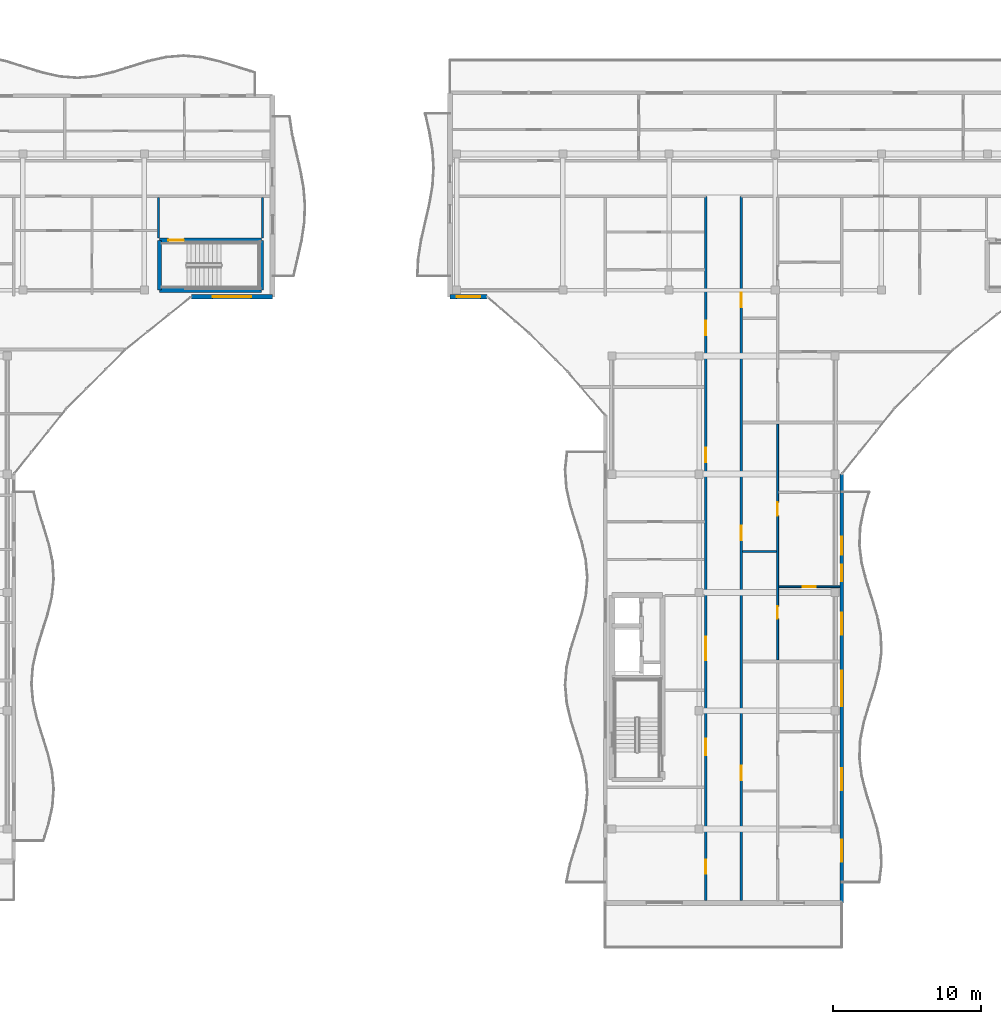
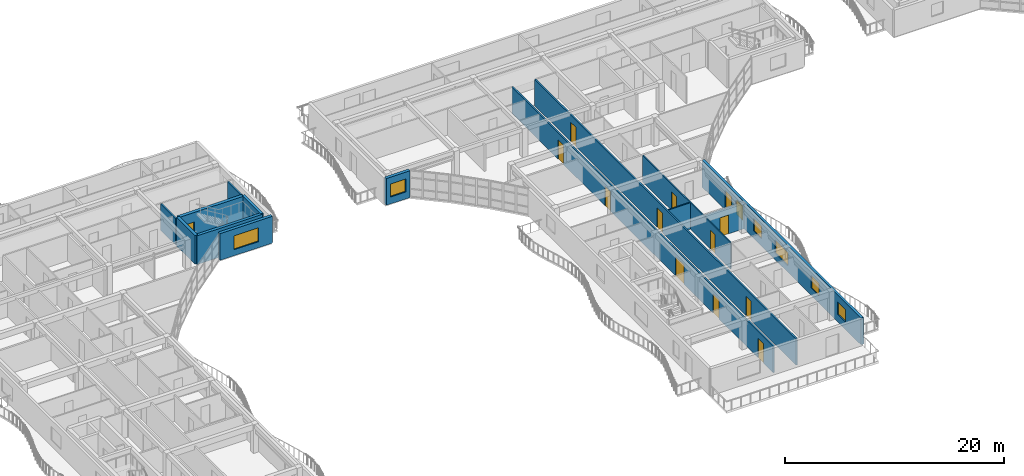
# One storey, part 31 of 54: 14 walls, 13 doors, 7 windows, 20 openings.
"""IFC4 building model written with IfcOpenShell, lengths in metres."""

from ifc_helpers import new_model, si_unit, direction, frame, frame_2d, origin, place, context, subcontext, project, spatial, rectangle, extrude, material, layer, layer_set, type_object, element, fill, save


model = new_model("IFC4")

# Units and contexts
model_context = context("Model", 3, precision=1e-05, world=origin(), true_north=direction((0.0, 1.0)))
body_context = subcontext(model_context, "Body", "Model", "MODEL_VIEW")
ifc_project = project(units=[si_unit("LENGTHUNIT", "METRE"), si_unit("AREAUNIT", "SQUARE_METRE"), si_unit("VOLUMEUNIT", "CUBIC_METRE"), si_unit("PLANEANGLEUNIT", "RADIAN"), si_unit("MASSUNIT", "GRAM", prefix="KILO")], contexts=[model_context])

# Site, building, storey
site_placement = place(None, origin())
site = spatial("IfcSite", under=ifc_project, at=site_placement, CompositionType="ELEMENT")
building_placement = place(site_placement, origin())
building = spatial("IfcBuilding", under=site, at=building_placement, Name="Keldmere Railside Commons", CompositionType="ELEMENT")
storey_placement = place(building_placement, frame((0.0, 0.0, 26.56005859375)))
storey = spatial("IfcBuildingStorey", under=building, at=storey_placement, Name="L08", CompositionType="ELEMENT", Elevation=26.56005859375)

# Wall, openings, doors
ifc_material_1 = material(Name="Acoustic Gypsum Board Partition", Category="gypsum")
ifc_layer_1 = layer(ifc_material_1, 0.1201171875, Name="Apartment Interior Partition 120")
ifc_layer_set_1 = layer_set([ifc_layer_1], Name="Acoustic Gypsum Board Partition")
wall_type_1 = type_object("IfcWallType", Name="Apartment Interior Partition 120", PredefinedType="PARTITIONING", material=ifc_layer_set_1)
wall_1_placement = place(storey_placement, frame((115.659912109375, 75.419921875, 0.0), z_axis=(0.0, 0.0, 1.0), x_axis=(0.0, 1.0, 0.0)))
wall_1 = element("IfcWall", 1, at=wall_1_placement, inside=storey, type_object=wall_type_1, Name="IW-4 IW-L08-1246", PredefinedType="PARTITIONING", context=body_context, shape_type="SweptSolid", body=[
    extrude(rectangle(XDim=15.989990234375, YDim=0.1201171875, at=frame_2d((7.9951171875, 0.0))), origin(), (0.0, 0.0, 1.0), 2.93505859375),
])
opening_1_placement = place(wall_1_placement, frame((2.796875, 0.0, 0.0)))
opening_1 = element("IfcOpeningElement", 2, at=opening_1_placement, cuts=wall_1, Name="Opening ID-04", PredefinedType="OPENING", context=body_context, shape_type="SweptSolid", body=[
    extrude(rectangle(XDim=0.860107421875, YDim=2.10009765625, at=frame_2d((0.43017578125, 1.050048828125))), frame((0.0, 0.070068359375, 0.0), z_axis=(0.0, -1.0, 0.0), x_axis=(1.0, 0.0, 0.0)), (0.0, 0.0, 1.0), 0.14013671875),
])
opening_2_placement = place(wall_1_placement, frame((9.7763671875, 0.0, 0.0)))
opening_2 = element("IfcOpeningElement", 3, at=opening_2_placement, cuts=wall_1, Name="Opening ID-03", PredefinedType="OPENING", context=body_context, shape_type="SweptSolid", body=[
    extrude(rectangle(XDim=0.919921875, YDim=2.10009765625, at=frame_2d((0.4599609375, 1.050048828125))), frame((0.0, 0.070068359375, 0.0), z_axis=(0.0, -1.0, 0.0), x_axis=(1.0, 0.0, 0.0)), (0.0, 0.0, 1.0), 0.14013671875),
])
ifc_material_2 = material(Name="Engineered Oak Timber", Category="wood")
door_type_1 = type_object("IfcDoorType", Name="Apartment Bathroom Door 860x2100", OperationType="NOTDEFINED", PredefinedType="DOOR", material=ifc_material_2)
door_1_placement = place(opening_1_placement, origin())
door_1 = element("IfcDoor", 4, at=door_1_placement, inside=storey, type_object=door_type_1, Name="ID-04 IDR-L08-1105", OperationType="SINGLE_SWING_LEFT", OverallHeight=2.10009765625, OverallWidth=0.860107421875, PredefinedType="DOOR", context=body_context, shape_type="SweptSolid", body=[
    extrude(rectangle(XDim=0.860107421875, YDim=2.10009765625, at=frame_2d((0.43017578125, 1.050048828125))), frame((0.0, 0.02490234375, 0.0), z_axis=(0.0, -1.0, 0.0), x_axis=(1.0, 0.0, 0.0)), (0.0, 0.0, 1.0), 0.050048828125),
])
fill(opening_1, door_1)
door_type_2 = type_object("IfcDoorType", Name="Kitchen Pocket-Frame Swing Door 920x2100", OperationType="NOTDEFINED", PredefinedType="DOOR", material=ifc_material_2)
door_2_placement = place(opening_2_placement, origin())
door_2 = element("IfcDoor", 5, at=door_2_placement, inside=storey, type_object=door_type_2, Name="ID-03 IDR-L08-1106", OperationType="SINGLE_SWING_RIGHT", OverallHeight=2.10009765625, OverallWidth=0.919921875, PredefinedType="DOOR", context=body_context, shape_type="SweptSolid", body=[
    extrude(rectangle(XDim=0.919921875, YDim=2.10009765625, at=frame_2d((0.4599609375, 1.050048828125))), frame((0.0, 0.02490234375, 0.0), z_axis=(0.0, -1.0, 0.0), x_axis=(1.0, 0.0, 0.0)), (0.0, 0.0, 1.0), 0.050048828125),
])
fill(opening_2, door_2)

# Wall, opening, door
wall_2_placement = place(storey_placement, frame((115.719970703125, 80.3798828125, 0.0), z_axis=(0.0, 0.0, 1.0), x_axis=(1.0, 0.0, 0.0)))
wall_2 = element("IfcWall", 6, at=wall_2_placement, inside=storey, type_object=wall_type_1, Name="IW-4 IW-L08-1248", PredefinedType="PARTITIONING", context=body_context, shape_type="SweptSolid", body=[
    extrude(rectangle(XDim=4.150146484375, YDim=0.1201171875, at=frame_2d((2.0751953125, 0.0))), origin(), (0.0, 0.0, 1.0), 2.93505859375),
])
opening_3_placement = place(wall_2_placement, frame((1.625, 0.0, 0.0)))
opening_3 = element("IfcOpeningElement", 7, at=opening_3_placement, cuts=wall_2, Name="Opening ID-01", PredefinedType="OPENING", context=body_context, shape_type="SweptSolid", body=[
    extrude(rectangle(XDim=0.89990234375, YDim=2.10009765625, at=frame_2d((0.449951171875, 1.050048828125))), frame((0.0, 0.070068359375, 0.0), z_axis=(0.0, -1.0, 0.0), x_axis=(1.0, 0.0, 0.0)), (0.0, 0.0, 1.0), 0.14013671875),
])
door_type_3 = type_object("IfcDoorType", Name="Primary Bedroom Door 900x2100", OperationType="NOTDEFINED", PredefinedType="DOOR", material=ifc_material_2)
door_3_placement = place(opening_3_placement, origin())
door_3 = element("IfcDoor", 8, at=door_3_placement, inside=storey, type_object=door_type_3, Name="ID-01 IDR-L08-1108", OperationType="SINGLE_SWING_RIGHT", OverallHeight=2.10009765625, OverallWidth=0.89990234375, PredefinedType="DOOR", context=body_context, shape_type="SweptSolid", body=[
    extrude(rectangle(XDim=0.89990234375, YDim=2.10009765625, at=frame_2d((0.449951171875, 1.050048828125))), frame((0.0, 0.02490234375, 0.0), z_axis=(0.0, -1.0, 0.0), x_axis=(1.0, 0.0, 0.0)), (0.0, 0.0, 1.0), 0.050048828125),
])
fill(opening_3, door_3)

# Wall, openings, doors
ifc_layer_2 = layer(ifc_material_1, 0.159912109375, Name="Corridor Fire Partition 160")
ifc_layer_set_2 = layer_set([ifc_layer_2], Name="Acoustic Gypsum Board Partition")
wall_type_2 = type_object("IfcWallType", Name="Corridor Fire Partition 160", PredefinedType="PARTITIONING", material=ifc_layer_set_2)
wall_3_placement = place(storey_placement, frame((110.800048828125, 59.159912109375, 0.0), z_axis=(0.0, 0.0, 1.0), x_axis=(0.0, 1.0, 0.0)))
wall_3 = element("IfcWall", 9, at=wall_3_placement, inside=storey, type_object=wall_type_2, Name="IW-2 IW-L08-1231", PredefinedType="PARTITIONING", context=body_context, shape_type="SweptSolid", body=[
    extrude(rectangle(XDim=47.64013671875, YDim=0.159912109375, at=frame_2d((23.820068359375, 0.0))), origin(), (0.0, 0.0, 1.0), 2.93505859375),
])
opening_4_placement = place(wall_3_placement, frame((9.840087890625, 0.0, 0.0)))
opening_4 = element("IfcOpeningElement", 10, at=opening_4_placement, cuts=wall_3, Name="Opening FD-2", PredefinedType="OPENING", context=body_context, shape_type="SweptSolid", body=[
    extrude(rectangle(XDim=1.10009765625, YDim=2.14990234375, at=frame_2d((0.550048828125, 1.074951171875))), frame((0.0, 0.08984375, 0.0), z_axis=(0.0, -1.0, 0.0), x_axis=(1.0, 0.0, 0.0)), (0.0, 0.0, 1.0), 0.179931640625),
])
opening_5_placement = place(wall_3_placement, frame((16.239990234375, 0.0, 0.0)))
opening_5 = element("IfcOpeningElement", 11, at=opening_5_placement, cuts=wall_3, Name="Opening FD-4", PredefinedType="OPENING", context=body_context, shape_type="SweptSolid", body=[
    extrude(rectangle(XDim=1.60009765625, YDim=2.14990234375, at=frame_2d((0.800048828125, 1.074951171875))), frame((0.0, 0.08984375, 0.0), z_axis=(0.0, -1.0, 0.0), x_axis=(1.0, 0.0, 0.0)), (0.0, 0.0, 1.0), 0.179931640625),
])
opening_6_placement = place(wall_3_placement, frame((1.800048828125, 0.0, 0.0)))
opening_6 = element("IfcOpeningElement", 12, at=opening_6_placement, cuts=wall_3, Name="Opening ID-08", PredefinedType="OPENING", context=body_context, shape_type="SweptSolid", body=[
    extrude(rectangle(XDim=0.9599609375, YDim=2.14990234375, at=frame_2d((0.47998046875, 1.074951171875))), frame((0.0, 0.08984375, 0.0), z_axis=(0.0, -1.0, 0.0), x_axis=(1.0, 0.0, 0.0)), (0.0, 0.0, 1.0), 0.179931640625),
])
opening_7_placement = place(wall_3_placement, frame((29.64501953125, 0.0, 0.0)))
opening_7 = element("IfcOpeningElement", 13, at=opening_7_placement, cuts=wall_3, Name="Opening FD-7", PredefinedType="OPENING", context=body_context, shape_type="SweptSolid", body=[
    extrude(rectangle(XDim=0.97998046875, YDim=2.14990234375, at=frame_2d((0.489990234375, 1.074951171875))), frame((0.0, 0.08984375, 0.0), z_axis=(0.0, -1.0, 0.0), x_axis=(1.0, 0.0, 0.0)), (0.0, 0.0, 1.0), 0.179931640625),
])
opening_8_placement = place(wall_3_placement, frame((38.2548828125, 0.0, 0.0)))
opening_8 = element("IfcOpeningElement", 14, at=opening_8_placement, cuts=wall_3, Name="Opening FD-7", PredefinedType="OPENING", context=body_context, shape_type="SweptSolid", body=[
    extrude(rectangle(XDim=0.97998046875, YDim=2.14990234375, at=frame_2d((0.489990234375, 1.074951171875))), frame((0.0, 0.08984375, 0.0), z_axis=(0.0, -1.0, 0.0), x_axis=(1.0, 0.0, 0.0)), (0.0, 0.0, 1.0), 0.179931640625),
])
door_type_4 = type_object("IfcDoorType", Name="Apartment Entrance Acoustic Fire Door 980x2150", OperationType="NOTDEFINED", PredefinedType="DOOR", material=ifc_material_2)
door_4_placement = place(opening_7_placement, origin())
door_4 = element("IfcDoor", 15, at=door_4_placement, inside=storey, type_object=door_type_4, Name="FD-7 IDR-L08-1132", OperationType="SINGLE_SWING_RIGHT", OverallHeight=2.14990234375, OverallWidth=0.97998046875, PredefinedType="DOOR", context=body_context, shape_type="SweptSolid", body=[
    extrude(rectangle(XDim=0.97998046875, YDim=2.14990234375, at=frame_2d((0.489990234375, 1.074951171875))), frame((0.0, 0.02490234375, 0.0), z_axis=(0.0, -1.0, 0.0), x_axis=(1.0, 0.0, 0.0)), (0.0, 0.0, 1.0), 0.050048828125),
])
fill(opening_7, door_4)
door_5_placement = place(opening_8_placement, origin())
door_5 = element("IfcDoor", 16, at=door_5_placement, inside=storey, type_object=door_type_4, Name="FD-7 IDR-L08-1135", OperationType="SINGLE_SWING_LEFT", OverallHeight=2.14990234375, OverallWidth=0.97998046875, PredefinedType="DOOR", context=body_context, shape_type="SweptSolid", body=[
    extrude(rectangle(XDim=0.97998046875, YDim=2.14990234375, at=frame_2d((0.489990234375, 1.074951171875))), frame((0.0, 0.02490234375, 0.0), z_axis=(0.0, -1.0, 0.0), x_axis=(1.0, 0.0, 0.0)), (0.0, 0.0, 1.0), 0.050048828125),
])
fill(opening_8, door_5)
ifc_material_3 = material(Name="Steel F-24 (S235)", Category="steel")
door_type_5 = type_object("IfcDoorType", Name="Corridor Cross-Compartment Double Fire Door 1600x2150", OperationType="DOUBLE_DOOR_SINGLE_SWING", PredefinedType="DOOR", material=ifc_material_3)
door_6_placement = place(opening_5_placement, origin())
door_6 = element("IfcDoor", 17, at=door_6_placement, inside=storey, type_object=door_type_5, Name="FD-4 IDR-L08-1099", OperationType="DOUBLE_DOOR_SINGLE_SWING", OverallHeight=2.14990234375, OverallWidth=1.60009765625, PredefinedType="DOOR", context=body_context, shape_type="SweptSolid", body=[
    extrude(rectangle(XDim=1.60009765625, YDim=2.14990234375, at=frame_2d((0.800048828125, 1.074951171875))), frame((0.0, 0.02490234375, 0.0), z_axis=(0.0, -1.0, 0.0), x_axis=(1.0, 0.0, 0.0)), (0.0, 0.0, 1.0), 0.050048828125),
])
fill(opening_5, door_6)
door_type_6 = type_object("IfcDoorType", Name="Firefighting Lobby Fire Door 1100x2150", OperationType="NOTDEFINED", PredefinedType="DOOR", material=ifc_material_3)
door_7_placement = place(opening_4_placement, origin())
door_7 = element("IfcDoor", 18, at=door_7_placement, inside=storey, type_object=door_type_6, Name="FD-2 IDR-L08-1098", OperationType="SINGLE_SWING_RIGHT", OverallHeight=2.14990234375, OverallWidth=1.10009765625, PredefinedType="DOOR", context=body_context, shape_type="SweptSolid", body=[
    extrude(rectangle(XDim=1.10009765625, YDim=2.14990234375, at=frame_2d((0.550048828125, 1.074951171875))), frame((0.0, 0.02490234375, 0.0), z_axis=(0.0, -1.0, 0.0), x_axis=(1.0, 0.0, 0.0)), (0.0, 0.0, 1.0), 0.050048828125),
])
fill(opening_4, door_7)
door_type_7 = type_object("IfcDoorType", Name="Study & Meeting Room Door 960x2150", OperationType="NOTDEFINED", PredefinedType="DOOR", material=ifc_material_2)
door_8_placement = place(opening_6_placement, origin())
door_8 = element("IfcDoor", 19, at=door_8_placement, inside=storey, type_object=door_type_7, Name="ID-08 IDR-L08-1129", OperationType="SINGLE_SWING_LEFT", OverallHeight=2.14990234375, OverallWidth=0.9599609375, PredefinedType="DOOR", context=body_context, shape_type="SweptSolid", body=[
    extrude(rectangle(XDim=0.9599609375, YDim=2.14990234375, at=frame_2d((0.47998046875, 1.074951171875))), frame((0.0, 0.02490234375, 0.0), z_axis=(0.0, -1.0, 0.0), x_axis=(1.0, 0.0, 0.0)), (0.0, 0.0, 1.0), 0.050048828125),
])
fill(opening_6, door_8)

wall_4_placement = place(storey_placement, frame((113.199951171875, 59.159912109375, 0.0), z_axis=(0.0, 0.0, 1.0), x_axis=(0.0, 1.0, 0.0)))
wall_4 = element("IfcWall", 20, at=wall_4_placement, inside=storey, type_object=wall_type_2, Name="IW-2 IW-L08-1232", PredefinedType="PARTITIONING", context=body_context, shape_type="SweptSolid", body=[
    extrude(rectangle(XDim=47.64013671875, YDim=0.159912109375, at=frame_2d((23.820068359375, 0.0))), origin(), (0.0, 0.0, 1.0), 2.93505859375),
])
opening_9_placement = place(wall_4_placement, frame((8.14990234375, 0.0, 0.0)))
opening_9 = element("IfcOpeningElement", 21, at=opening_9_placement, cuts=wall_4, Name="Opening FD-7", PredefinedType="OPENING", context=body_context, shape_type="SweptSolid", body=[
    extrude(rectangle(XDim=0.97998046875, YDim=2.14990234375, at=frame_2d((0.489990234375, 1.074951171875))), frame((0.0, 0.08984375, 0.0), z_axis=(0.0, -1.0, 0.0), x_axis=(1.0, 0.0, 0.0)), (0.0, 0.0, 1.0), 0.179931640625),
])
opening_10_placement = place(wall_4_placement, frame((24.3701171875, 0.0, 0.0)))
opening_10 = element("IfcOpeningElement", 22, at=opening_10_placement, cuts=wall_4, Name="Opening FD-7", PredefinedType="OPENING", context=body_context, shape_type="SweptSolid", body=[
    extrude(rectangle(XDim=0.97998046875, YDim=2.14990234375, at=frame_2d((0.489990234375, 1.074951171875))), frame((0.0, 0.08984375, 0.0), z_axis=(0.0, -1.0, 0.0), x_axis=(1.0, 0.0, 0.0)), (0.0, 0.0, 1.0), 0.179931640625),
])
opening_11_placement = place(wall_4_placement, frame((40.139892578125, 0.0, 0.0)))
opening_11 = element("IfcOpeningElement", 23, at=opening_11_placement, cuts=wall_4, Name="Opening FD-7", PredefinedType="OPENING", context=body_context, shape_type="SweptSolid", body=[
    extrude(rectangle(XDim=0.97998046875, YDim=2.14990234375, at=frame_2d((0.489990234375, 1.074951171875))), frame((0.0, 0.08984375, 0.0), z_axis=(0.0, -1.0, 0.0), x_axis=(1.0, 0.0, 0.0)), (0.0, 0.0, 1.0), 0.179931640625),
])
door_9_placement = place(opening_9_placement, origin())
door_9 = element("IfcDoor", 24, at=door_9_placement, inside=storey, type_object=door_type_4, Name="FD-7 IDR-L08-1102", OperationType="SINGLE_SWING_RIGHT", OverallHeight=2.14990234375, OverallWidth=0.97998046875, PredefinedType="DOOR", context=body_context, shape_type="SweptSolid", body=[
    extrude(rectangle(XDim=0.97998046875, YDim=2.14990234375, at=frame_2d((0.489990234375, 1.074951171875))), frame((0.0, 0.02490234375, 0.0), z_axis=(0.0, -1.0, 0.0), x_axis=(1.0, 0.0, 0.0)), (0.0, 0.0, 1.0), 0.050048828125),
])
fill(opening_9, door_9)
door_10_placement = place(opening_10_placement, origin())
door_10 = element("IfcDoor", 25, at=door_10_placement, inside=storey, type_object=door_type_4, Name="FD-7 IDR-L08-1107", OperationType="SINGLE_SWING_LEFT", OverallHeight=2.14990234375, OverallWidth=0.97998046875, PredefinedType="DOOR", context=body_context, shape_type="SweptSolid", body=[
    extrude(rectangle(XDim=0.97998046875, YDim=2.14990234375, at=frame_2d((0.489990234375, 1.074951171875))), frame((0.0, 0.02490234375, 0.0), z_axis=(0.0, -1.0, 0.0), x_axis=(1.0, 0.0, 0.0)), (0.0, 0.0, 1.0), 0.050048828125),
])
fill(opening_10, door_10)
door_11_placement = place(opening_11_placement, origin())
door_11 = element("IfcDoor", 26, at=door_11_placement, inside=storey, type_object=door_type_4, Name="FD-7 IDR-L08-1112", OperationType="SINGLE_SWING_RIGHT", OverallHeight=2.14990234375, OverallWidth=0.97998046875, PredefinedType="DOOR", context=body_context, shape_type="SweptSolid", body=[
    extrude(rectangle(XDim=0.97998046875, YDim=2.14990234375, at=frame_2d((0.489990234375, 1.074951171875))), frame((0.0, 0.02490234375, 0.0), z_axis=(0.0, -1.0, 0.0), x_axis=(1.0, 0.0, 0.0)), (0.0, 0.0, 1.0), 0.050048828125),
])
fill(opening_11, door_11)

# Wall, opening, window
ifc_material_4 = material(Name="Concrete H-35 (C35/45)", Category="concrete")
ifc_layer_3 = layer(ifc_material_4, 0.320068359375, Name="Exterior Shear Wall 320")
ifc_layer_set_3 = layer_set([ifc_layer_3], Name="Concrete H-35 (C35/45)")
wall_type_3 = type_object("IfcWallType", Name="Exterior Shear Wall 320", PredefinedType="SHEAR", material=ifc_layer_set_3)
wall_5_placement = place(storey_placement, frame((81.5, 100.0, 0.0), z_axis=(0.0, 0.0, 1.0), x_axis=(-1.0, 0.0, 0.0)))
wall_5 = element("IfcWall", 27, at=wall_5_placement, inside=storey, type_object=wall_type_3, Name="ESW-2 EXTC-L08-0390", PredefinedType="SHEAR", context=body_context, shape_type="SweptSolid", body=[
    extrude(rectangle(XDim=5.5, YDim=0.320068359375, at=frame_2d((2.75, 0.0))), origin(), (0.0, 0.0, 1.0), 2.97998046875),
])
opening_12_placement = place(wall_5_placement, frame((1.449951171875, 0.0, 0.669921875)))
opening_12 = element("IfcOpeningElement", 28, at=opening_12_placement, cuts=wall_5, Name="Opening WN-39", PredefinedType="OPENING", context=body_context, shape_type="SweptSolid", body=[
    extrude(rectangle(XDim=2.60009765625, YDim=1.550048828125, at=frame_2d((1.300048828125, 0.77490234375))), frame((0.0, 0.169921875, 0.0), z_axis=(0.0, -1.0, 0.0), x_axis=(1.0, 0.0, 0.0)), (0.0, 0.0, 1.0), 0.340087890625),
])
ifc_material_5 = material(Name="Low-E Insulated Double Glazing", Category="glass")
window_type_1 = type_object("IfcWindowType", Name="Three-Bed Corner Living Window 2600x1550", PartitioningType="SINGLE_PANEL", PredefinedType="WINDOW", material=ifc_material_5)
window_1_placement = place(opening_12_placement, origin())
window_1 = element("IfcWindow", 29, at=window_1_placement, inside=storey, type_object=window_type_1, Name="WN-39 WIN-L08-0310", OverallHeight=1.550048828125, OverallWidth=2.60009765625, PartitioningType="SINGLE_PANEL", PredefinedType="WINDOW", context=body_context, shape_type="SweptSolid", body=[
    extrude(rectangle(XDim=2.60009765625, YDim=1.550048828125, at=frame_2d((1.300048828125, 0.77490234375))), frame((0.0, 0.030029296875, 0.0), z_axis=(0.0, -1.0, 0.0), x_axis=(1.0, 0.0, 0.0)), (0.0, 0.0, 1.0), 0.06005859375),
])
fill(opening_12, window_1)

wall_6_placement = place(storey_placement, frame((96.0, 100.0, 0.0), z_axis=(0.0, 0.0, 1.0), x_axis=(-1.0, 0.0, 0.0)))
wall_6 = element("IfcWall", 30, at=wall_6_placement, inside=storey, type_object=wall_type_3, Name="ESW-2 EXTB-L08-0653", PredefinedType="SHEAR", context=body_context, shape_type="SweptSolid", body=[
    extrude(rectangle(XDim=2.5, YDim=0.320068359375, at=frame_2d((1.25, 0.0))), origin(), (0.0, 0.0, 1.0), 2.97998046875),
])
opening_13_placement = place(wall_6_placement, frame((0.449951171875, 0.0, 0.77001953125)))
opening_13 = element("IfcOpeningElement", 31, at=opening_13_placement, cuts=wall_6, Name="Opening WN-04", PredefinedType="OPENING", context=body_context, shape_type="SweptSolid", body=[
    extrude(rectangle(XDim=1.60009765625, YDim=1.449951171875, at=frame_2d((0.800048828125, 0.72509765625))), frame((0.0, 0.169921875, 0.0), z_axis=(0.0, -1.0, 0.0), x_axis=(1.0, 0.0, 0.0)), (0.0, 0.0, 1.0), 0.340087890625),
])
window_type_2 = type_object("IfcWindowType", Name="Living Room West Shaded Window 1600x1450", PartitioningType="SINGLE_PANEL", PredefinedType="WINDOW", material=ifc_material_5)
window_2_placement = place(opening_13_placement, origin())
window_2 = element("IfcWindow", 32, at=window_2_placement, inside=storey, type_object=window_type_2, Name="WN-04 WIN-L08-0504", OverallHeight=1.449951171875, OverallWidth=1.60009765625, PartitioningType="SINGLE_PANEL", PredefinedType="WINDOW", context=body_context, shape_type="SweptSolid", body=[
    extrude(rectangle(XDim=1.60009765625, YDim=1.449951171875, at=frame_2d((0.800048828125, 0.72509765625))), frame((0.0, 0.030029296875, 0.0), z_axis=(0.0, -1.0, 0.0), x_axis=(1.0, 0.0, 0.0)), (0.0, 0.0, 1.0), 0.06005859375),
])
fill(opening_13, window_2)

# Walls
ifc_layer_4 = layer(ifc_material_4, 0.300048828125, Name="Interior Shear Wall 300")
ifc_layer_set_4 = layer_set([ifc_layer_4], Name="Concrete H-35 (C35/45)")
wall_type_4 = type_object("IfcWallType", Name="Interior Shear Wall 300", PredefinedType="SHEAR", material=ifc_layer_set_4)
wall_7_placement = place(storey_placement, frame((73.85009765625, 100.449951171875, 0.0), z_axis=(0.0, 0.0, 1.0), x_axis=(1.0, 0.0, 0.0)))
element("IfcWall", 33, at=wall_7_placement, inside=storey, type_object=wall_type_4, Name="ISW-2 COREC2S-L08-0302", PredefinedType="SHEAR", context=body_context, shape_type="SweptSolid", body=[
    extrude(rectangle(XDim=6.89990234375, YDim=0.300048828125, at=frame_2d((3.449951171875, 0.0))), origin(), (0.0, 0.0, 1.0), 3.199951171875),
])
for number, where, z_axis, x_axis, name in (
    (34, (73.85009765625, 103.820068359375, 0.0), (0.0, 0.0, 1.0), (0.0, -1.0, 0.0), "ISW-2 COREC2W-L08-0304"),
    (35, (80.75, 100.449951171875, 0.0), (0.0, 0.0, 1.0), (0.0, 1.0, 0.0), "ISW-2 COREC2E-L08-0305"),
):
    element("IfcWall", number, at=place(storey_placement, frame(where, z_axis=z_axis, x_axis=x_axis)), inside=storey, type_object=wall_type_4, Name=name, PredefinedType="SHEAR", context=body_context, shape_type="SweptSolid", body=[
        extrude(rectangle(XDim=3.3701171875, YDim=0.300048828125, at=frame_2d((1.68505859375, 0.0))), origin(), (0.0, 0.0, 1.0), 3.199951171875),
    ])

# Wall, opening, door
ifc_layer_5 = layer(ifc_material_4, 0.340087890625, Name="Interior Shear Wall 340")
ifc_layer_set_5 = layer_set([ifc_layer_5], Name="Concrete H-35 (C35/45)")
wall_type_5 = type_object("IfcWallType", Name="Interior Shear Wall 340", PredefinedType="SHEAR", material=ifc_layer_set_5)
wall_8_placement = place(storey_placement, frame((80.75, 103.820068359375, 0.0), z_axis=(0.0, 0.0, 1.0), x_axis=(-1.0, 0.0, 0.0)))
wall_8 = element("IfcWall", 36, at=wall_8_placement, inside=storey, type_object=wall_type_5, Name="ISW-1 COREC2N-L08-0303", PredefinedType="SHEAR", context=body_context, shape_type="SweptSolid", body=[
    extrude(rectangle(XDim=6.89990234375, YDim=0.340087890625, at=frame_2d((3.449951171875, 0.0))), origin(), (0.0, 0.0, 1.0), 3.199951171875),
])
opening_14_placement = place(wall_8_placement, frame((5.25, 0.0, 0.0)))
opening_14 = element("IfcOpeningElement", 37, at=opening_14_placement, cuts=wall_8, Name="Opening FD-1", PredefinedType="OPENING", context=body_context, shape_type="SweptSolid", body=[
    extrude(rectangle(XDim=1.050048828125, YDim=2.14990234375, at=frame_2d((0.52490234375, 1.074951171875))), frame((0.0, 0.179931640625, 0.0), z_axis=(0.0, -1.0, 0.0), x_axis=(1.0, 0.0, 0.0)), (0.0, 0.0, 1.0), 0.360107421875),
])
door_type_8 = type_object("IfcDoorType", Name="Stair Core Fire Door 1050x2150", OperationType="NOTDEFINED", PredefinedType="DOOR", material=ifc_material_3)
door_12_placement = place(opening_14_placement, origin())
door_12 = element("IfcDoor", 38, at=door_12_placement, inside=storey, type_object=door_type_8, Name="FD-1 C2 L08", OperationType="SINGLE_SWING_RIGHT", OverallHeight=2.14990234375, OverallWidth=1.050048828125, PredefinedType="DOOR", context=body_context, shape_type="SweptSolid", body=[
    extrude(rectangle(XDim=1.050048828125, YDim=2.14990234375, at=frame_2d((0.52490234375, 1.074951171875))), frame((0.0, 0.02490234375, 0.0), z_axis=(0.0, -1.0, 0.0), x_axis=(1.0, 0.0, 0.0)), (0.0, 0.0, 1.0), 0.050048828125),
])
fill(opening_14, door_12)

# Walls
ifc_layer_6 = layer(ifc_material_1, 0.14990234375, Name="Lobby Rated Partition 150")
ifc_layer_set_6 = layer_set([ifc_layer_6], Name="Acoustic Gypsum Board Partition")
wall_type_6 = type_object("IfcWallType", Name="Lobby Rated Partition 150", PredefinedType="PARTITIONING", material=ifc_layer_set_6)
for number, where, z_axis, x_axis, name in (
    (39, (73.780029296875, 103.989990234375, 0.0), (0.0, 0.0, 1.0), (0.0, 1.0, 0.0), "IW-3 IW-L08-0822"),
    (40, (80.820068359375, 103.989990234375, 0.0), (0.0, 0.0, 1.0), (0.0, 1.0, 0.0), "IW-3 IW-L08-0823"),
):
    element("IfcWall", number, at=place(storey_placement, frame(where, z_axis=z_axis, x_axis=x_axis)), inside=storey, type_object=wall_type_6, Name=name, PredefinedType="PARTITIONING", context=body_context, shape_type="SweptSolid", body=[
        extrude(rectangle(XDim=2.72998046875, YDim=0.14990234375, at=frame_2d((1.364990234375, 0.0))), origin(), (0.0, 0.0, 1.0), 2.93505859375),
    ])

# Wall, openings, door, windows
ifc_material_6 = material(Name="Terracotta Brick Masonry", Category="masonry")
ifc_layer_7 = layer(ifc_material_6, 0.260009765625, Name="Terracotta Cavity Wall 260")
ifc_layer_set_7 = layer_set([ifc_layer_7], Name="Terracotta Brick Masonry")
wall_type_7 = type_object("IfcWallType", Name="Terracotta Cavity Wall 260", PredefinedType="SOLIDWALL", material=ifc_layer_set_7)
wall_9_placement = place(storey_placement, frame((120.0, 88.0, 0.0), z_axis=(0.0, 0.0, 1.0), x_axis=(0.0, -1.0, 0.0)))
wall_9 = element("IfcWall", 41, at=wall_9_placement, inside=storey, type_object=wall_type_7, Name="EW-1 EXTB-L08-0648", PredefinedType="SOLIDWALL", context=body_context, shape_type="SweptSolid", body=[
    extrude(rectangle(XDim=29.0, YDim=0.260009765625, at=frame_2d((14.5, 0.0))), origin(), (0.0, 0.0, 1.0), 2.97998046875),
])
opening_15_placement = place(wall_9_placement, frame((4.2333984375, 0.0, 0.0)))
opening_15 = element("IfcOpeningElement", 42, at=opening_15_placement, cuts=wall_9, Name="Opening BD-01", PredefinedType="OPENING", context=body_context, shape_type="SweptSolid", body=[
    extrude(rectangle(XDim=1.199951171875, YDim=2.199951171875, at=frame_2d((0.60009765625, 1.10009765625))), frame((0.0, 0.139892578125, 0.0), z_axis=(0.0, -1.0, 0.0), x_axis=(1.0, 0.0, 0.0)), (0.0, 0.0, 1.0), 0.280029296875),
])
opening_16_placement = place(wall_9_placement, frame((6.13330078125, 0.0, 0.6201171875)))
opening_16 = element("IfcOpeningElement", 43, at=opening_16_placement, cuts=wall_9, Name="Opening WN-16", PredefinedType="OPENING", context=body_context, shape_type="SweptSolid", body=[
    extrude(rectangle(XDim=1.10009765625, YDim=1.60009765625, at=frame_2d((0.550048828125, 0.800048828125))), frame((0.0, 0.139892578125, 0.0), z_axis=(0.0, -1.0, 0.0), x_axis=(1.0, 0.0, 0.0)), (0.0, 0.0, 1.0), 0.280029296875),
])
opening_17_placement = place(wall_9_placement, frame((13.300048828125, 0.0, 0.719970703125)))
opening_17 = element("IfcOpeningElement", 44, at=opening_17_placement, cuts=wall_9, Name="Opening WN-05", PredefinedType="OPENING", context=body_context, shape_type="SweptSolid", body=[
    extrude(rectangle(XDim=2.39990234375, YDim=1.5, at=frame_2d((1.199951171875, 0.75))), frame((0.0, 0.139892578125, 0.0), z_axis=(0.0, -1.0, 0.0), x_axis=(1.0, 0.0, 0.0)), (0.0, 0.0, 1.0), 0.280029296875),
])
opening_18_placement = place(wall_9_placement, frame((24.716796875, 0.0, 0.820068359375)))
opening_18 = element("IfcOpeningElement", 45, at=opening_18_placement, cuts=wall_9, Name="Opening WN-06", PredefinedType="OPENING", context=body_context, shape_type="SweptSolid", body=[
    extrude(rectangle(XDim=1.5, YDim=1.39990234375, at=frame_2d((0.75, 0.699951171875))), frame((0.0, 0.139892578125, 0.0), z_axis=(0.0, -1.0, 0.0), x_axis=(1.0, 0.0, 0.0)), (0.0, 0.0, 1.0), 0.280029296875),
])
opening_19_placement = place(wall_9_placement, frame((19.889892578125, 0.0, 0.820068359375)))
opening_19 = element("IfcOpeningElement", 46, at=opening_19_placement, cuts=wall_9, Name="Opening WN-06", PredefinedType="OPENING", context=body_context, shape_type="SweptSolid", body=[
    extrude(rectangle(XDim=1.5, YDim=1.39990234375, at=frame_2d((0.75, 0.699951171875))), frame((0.0, 0.139892578125, 0.0), z_axis=(0.0, -1.0, 0.0), x_axis=(1.0, 0.0, 0.0)), (0.0, 0.0, 1.0), 0.280029296875),
])
opening_20_placement = place(wall_9_placement, frame((9.375, 0.0, 0.820068359375)))
opening_20 = element("IfcOpeningElement", 47, at=opening_20_placement, cuts=wall_9, Name="Opening WN-06", PredefinedType="OPENING", context=body_context, shape_type="SweptSolid", body=[
    extrude(rectangle(XDim=1.5, YDim=1.39990234375, at=frame_2d((0.75, 0.699951171875))), frame((0.0, 0.139892578125, 0.0), z_axis=(0.0, -1.0, 0.0), x_axis=(1.0, 0.0, 0.0)), (0.0, 0.0, 1.0), 0.280029296875),
])
ifc_material_7 = material(Name="Thermally Broken Aluminium", Category="aluminium")
door_type_9 = type_object("IfcDoorType", Name="Apartment Living Wave-Balcony Glazed Door 1200x2200", OperationType="NOTDEFINED", PredefinedType="DOOR", material=ifc_material_7)
door_13_placement = place(opening_15_placement, origin())
door_13 = element("IfcDoor", 48, at=door_13_placement, inside=storey, type_object=door_type_9, Name="BD-01 DR-L08-0185", OperationType="SINGLE_SWING_LEFT", OverallHeight=2.199951171875, OverallWidth=1.199951171875, PredefinedType="DOOR", context=body_context, shape_type="SweptSolid", body=[
    extrude(rectangle(XDim=1.199951171875, YDim=2.199951171875, at=frame_2d((0.60009765625, 1.10009765625))), frame((0.0, 0.02490234375, 0.0), z_axis=(0.0, -1.0, 0.0), x_axis=(1.0, 0.0, 0.0)), (0.0, 0.0, 1.0), 0.050048828125),
])
fill(opening_15, door_13)
window_type_3 = type_object("IfcWindowType", Name="Corner Dual-Aspect Ribbon Window 2400x1500", PartitioningType="SINGLE_PANEL", PredefinedType="WINDOW", material=ifc_material_5)
window_3_placement = place(opening_17_placement, origin())
window_3 = element("IfcWindow", 49, at=window_3_placement, inside=storey, type_object=window_type_3, Name="WN-05 WIN-L08-0494", OverallHeight=1.5, OverallWidth=2.39990234375, PartitioningType="SINGLE_PANEL", PredefinedType="WINDOW", context=body_context, shape_type="SweptSolid", body=[
    extrude(rectangle(XDim=2.39990234375, YDim=1.5, at=frame_2d((1.199951171875, 0.75))), frame((0.0, 0.030029296875, 0.0), z_axis=(0.0, -1.0, 0.0), x_axis=(1.0, 0.0, 0.0)), (0.0, 0.0, 1.0), 0.06005859375),
])
fill(opening_17, window_3)
window_type_4 = type_object("IfcWindowType", Name="Corridor End Daylight Window 1100x1600", PartitioningType="SINGLE_PANEL", PredefinedType="WINDOW", material=ifc_material_5)
window_4_placement = place(opening_16_placement, origin())
window_4 = element("IfcWindow", 50, at=window_4_placement, inside=storey, type_object=window_type_4, Name="WN-16 WIN-L08-0493", OverallHeight=1.60009765625, OverallWidth=1.10009765625, PartitioningType="SINGLE_PANEL", PredefinedType="WINDOW", context=body_context, shape_type="SweptSolid", body=[
    extrude(rectangle(XDim=1.10009765625, YDim=1.60009765625, at=frame_2d((0.550048828125, 0.800048828125))), frame((0.0, 0.030029296875, 0.0), z_axis=(0.0, -1.0, 0.0), x_axis=(1.0, 0.0, 0.0)), (0.0, 0.0, 1.0), 0.06005859375),
])
fill(opening_16, window_4)
window_type_5 = type_object("IfcWindowType", Name="Primary Bedroom North Window 1500x1400", PartitioningType="SINGLE_PANEL", PredefinedType="WINDOW", material=ifc_material_5)
window_5_placement = place(opening_18_placement, origin())
window_5 = element("IfcWindow", 51, at=window_5_placement, inside=storey, type_object=window_type_5, Name="WN-06 WIN-L08-0495", OverallHeight=1.39990234375, OverallWidth=1.5, PartitioningType="SINGLE_PANEL", PredefinedType="WINDOW", context=body_context, shape_type="SweptSolid", body=[
    extrude(rectangle(XDim=1.5, YDim=1.39990234375, at=frame_2d((0.75, 0.699951171875))), frame((0.0, 0.030029296875, 0.0), z_axis=(0.0, -1.0, 0.0), x_axis=(1.0, 0.0, 0.0)), (0.0, 0.0, 1.0), 0.06005859375),
])
fill(opening_18, window_5)
window_6_placement = place(opening_19_placement, origin())
window_6 = element("IfcWindow", 52, at=window_6_placement, inside=storey, type_object=window_type_5, Name="WN-06 WIN-L08-9067", OverallHeight=1.39990234375, OverallWidth=1.5, PartitioningType="SINGLE_PANEL", PredefinedType="WINDOW", context=body_context, shape_type="SweptSolid", body=[
    extrude(rectangle(XDim=1.5, YDim=1.39990234375, at=frame_2d((0.75, 0.699951171875))), frame((0.0, 0.030029296875, 0.0), z_axis=(0.0, -1.0, 0.0), x_axis=(1.0, 0.0, 0.0)), (0.0, 0.0, 1.0), 0.06005859375),
])
fill(opening_19, window_6)
window_7_placement = place(opening_20_placement, origin())
window_7 = element("IfcWindow", 53, at=window_7_placement, inside=storey, type_object=window_type_5, Name="WN-06 WIN-L08-9068", OverallHeight=1.39990234375, OverallWidth=1.5, PartitioningType="SINGLE_PANEL", PredefinedType="WINDOW", context=body_context, shape_type="SweptSolid", body=[
    extrude(rectangle(XDim=1.5, YDim=1.39990234375, at=frame_2d((0.75, 0.699951171875))), frame((0.0, 0.030029296875, 0.0), z_axis=(0.0, -1.0, 0.0), x_axis=(1.0, 0.0, 0.0)), (0.0, 0.0, 1.0), 0.06005859375),
])
fill(opening_20, window_7)

# Wall
ifc_layer_8 = layer(ifc_material_1, 0.139892578125, Name="Wet-Room Sanitary Partition 140")
ifc_layer_set_8 = layer_set([ifc_layer_8], Name="Acoustic Gypsum Board Partition")
wall_type_8 = type_object("IfcWallType", Name="Wet-Room Sanitary Partition 140", PredefinedType="PARTITIONING", material=ifc_layer_set_8)
wall_10_placement = place(storey_placement, frame((113.280029296875, 82.780029296875, 0.0), z_axis=(0.0, 0.0, 1.0), x_axis=(1.0, 0.0, 0.0)))
element("IfcWall", 54, at=wall_10_placement, inside=storey, type_object=wall_type_8, Name="IW-5 IW-L08-1247", PredefinedType="PARTITIONING", context=body_context, shape_type="SweptSolid", body=[
    extrude(rectangle(XDim=2.320068359375, YDim=0.139892578125, at=frame_2d((1.16015625, 0.0))), origin(), (0.0, 0.0, 1.0), 2.93505859375),
])

save(model, "model.ifc")
